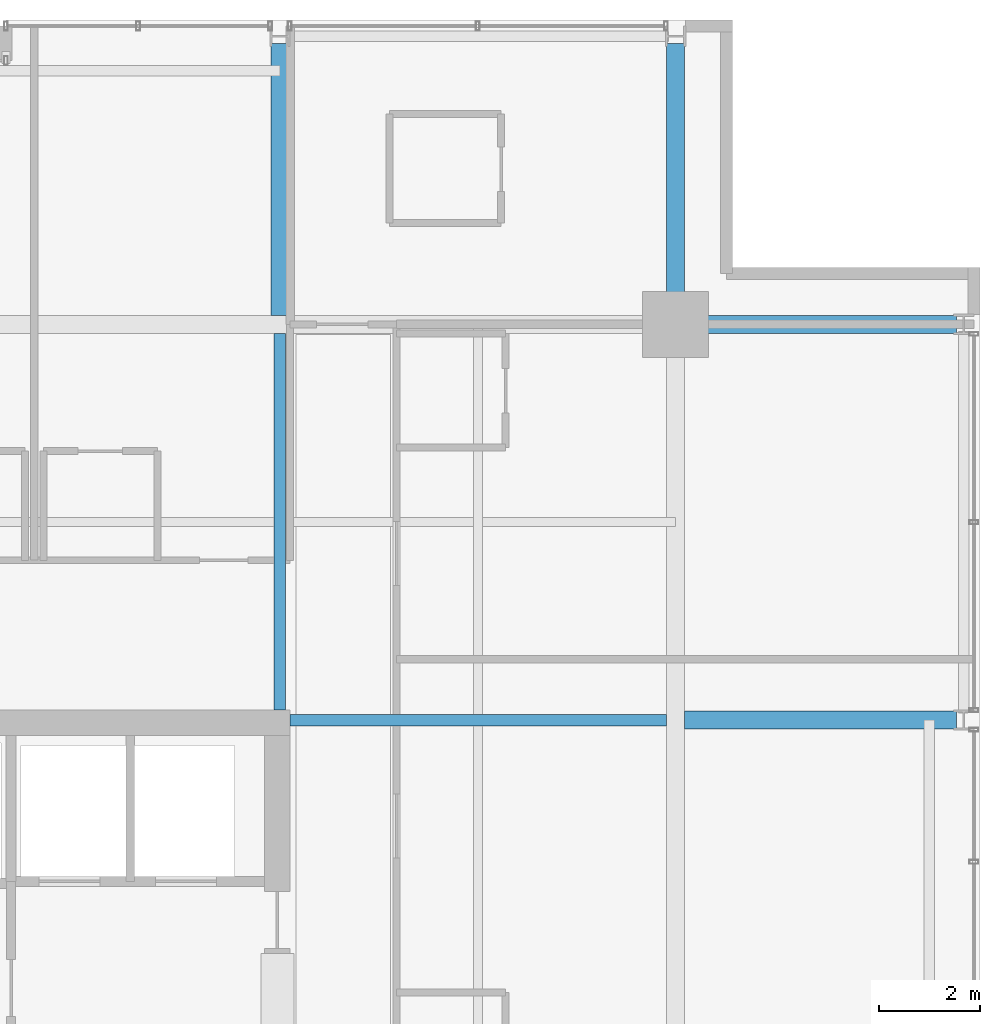
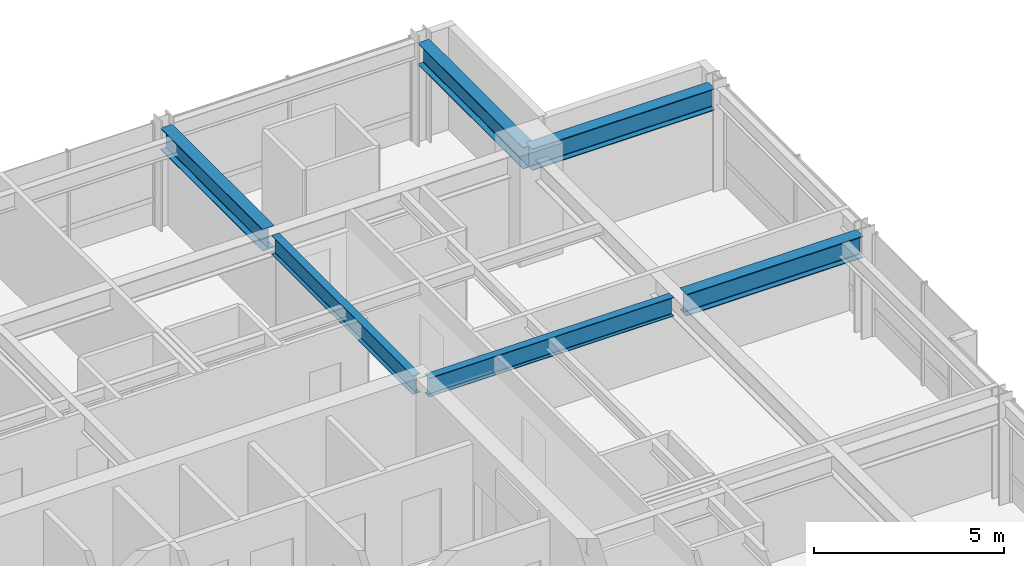
# One storey, part 21 of 32: 6 beams.
"""IFC4 building model written with IfcOpenShell, lengths in metres."""

from ifc_helpers import new_model, si_unit, direction, frame, origin, origin_2d, place, context, subcontext, project, spatial, i_section, extrude, material, material_profile, profile_set, type_object, element, save


model = new_model("IFC4")

# Units and contexts
model_context = context("Model", 3, precision=1e-05, world=origin(), true_north=direction((0.0, 1.0)))
body_context = subcontext(model_context, "Body", "Model", "MODEL_VIEW")
ifc_project = project(units=[si_unit("LENGTHUNIT", "METRE"), si_unit("AREAUNIT", "SQUARE_METRE"), si_unit("VOLUMEUNIT", "CUBIC_METRE"), si_unit("PLANEANGLEUNIT", "RADIAN"), si_unit("MASSUNIT", "GRAM", prefix="KILO")], contexts=[model_context])

# Site, building, storey
site_placement = place(None, origin())
site = spatial("IfcSite", under=ifc_project, at=site_placement, CompositionType="ELEMENT")
building_placement = place(site_placement, origin())
building = spatial("IfcBuilding", under=site, at=building_placement, Name="Drelvath Grand Hotel", CompositionType="ELEMENT")
storey_placement = place(building_placement, frame((0.0, 0.0, 182.35009765625)))
storey = spatial("IfcBuildingStorey", under=building, at=storey_placement, Name="L47", CompositionType="ELEMENT", Elevation=182.35009765625)

# Beams
ifc_material = material(Name="Steel ASTM A992 Gr 50", Category="steel")
ifc_material_profile_1 = material_profile(ifc_material, i_section(OverallWidth=0.228271484375, OverallDepth=0.607666015625, WebThickness=0.01123046875, FlangeThickness=0.017333984375, FilletRadius=0.02001953125, at=origin_2d()), Name="W24X76")
ifc_profile_set_1 = profile_set([ifc_material_profile_1], Name="Steel ASTM A992 Gr 50")
beam_type_1 = type_object("IfcBeamType", Name="Primary Floor Girder W24X76", PredefinedType="BEAM", material=ifc_profile_set_1)
for number, where, z_axis, x_axis, name in (
    (1, (8.60009765625, 35.39990234375, 2.986083984375), (1.0, 0.0, 0.0), (0.0, 1.0, 0.0), "L47 East Core Tie F"),
    (2, (8.39990234375, 35.60009765625, 2.986083984375), (0.0, 1.0, 0.0), (-1.0, 0.0, 0.0), "L47 North Core Tie 6"),
):
    element("IfcBeam", number, at=place(storey_placement, frame(where, z_axis=z_axis, x_axis=x_axis)), inside=storey, type_object=beam_type_1, Name=name, PredefinedType="BEAM", context=body_context, shape_type="SweptSolid", body=[
        extrude(i_section(OverallWidth=0.228271484375, OverallDepth=0.607666015625, WebThickness=0.01123046875, FlangeThickness=0.017333984375, FilletRadius=0.02001953125, at=origin_2d()), origin(), (0.0, 0.0, 1.0), 7.422607421875),
    ])
ifc_material_profile_2 = material_profile(ifc_material, i_section(OverallWidth=0.354736328125, OverallDepth=0.695556640625, WebThickness=0.015380859375, FlangeThickness=0.025146484375, FilletRadius=0.02392578125, at=origin_2d()), Name="W27X146")
ifc_profile_set_2 = profile_set([ifc_material_profile_2], Name="Steel ASTM A992 Gr 50")
beam_type_2 = type_object("IfcBeamType", Name="Primary Floor Girder W27X146", PredefinedType="BEAM", material=ifc_profile_set_2)
beam_1_placement = place(storey_placement, frame((16.199951171875, 43.199951171875, 2.942138671875), z_axis=(1.0, 0.0, 0.0), x_axis=(0.0, 1.0, 0.0)))
element("IfcBeam", 3, at=beam_1_placement, inside=storey, type_object=beam_type_2, Name="L47 East Grid Girder G", PredefinedType="BEAM", context=body_context, shape_type="SweptSolid", body=[
    extrude(i_section(OverallWidth=0.354736328125, OverallDepth=0.695556640625, WebThickness=0.015380859375, FlangeThickness=0.025146484375, FilletRadius=0.02392578125, at=origin_2d()), origin(), (0.0, 0.0, 1.0), 5.5400390625),
])
beam_2_placement = place(storey_placement, frame((16.37744140625, 35.39990234375, 2.942138671875), z_axis=(1.0, 0.0, 0.0), x_axis=(0.0, 1.0, 0.0)))
element("IfcBeam", 4, at=beam_2_placement, inside=storey, type_object=beam_type_2, Name="L47 East Wing Girder F", PredefinedType="BEAM", context=body_context, shape_type="SweptSolid", body=[
    extrude(i_section(OverallWidth=0.354736328125, OverallDepth=0.695556640625, WebThickness=0.015380859375, FlangeThickness=0.025146484375, FilletRadius=0.02392578125, at=origin_2d()), origin(), (0.0, 0.0, 1.0), 5.362548828125),
])
beam_3_placement = place(storey_placement, frame((16.199951171875, 43.199951171875, 2.942138671875), z_axis=(0.0, 1.0, 0.0), x_axis=(-1.0, 0.0, 0.0)))
element("IfcBeam", 5, at=beam_3_placement, inside=storey, type_object=beam_type_2, Name="L47 North Grid Girder 7", PredefinedType="BEAM", context=body_context, shape_type="SweptSolid", body=[
    extrude(i_section(OverallWidth=0.354736328125, OverallDepth=0.695556640625, WebThickness=0.015380859375, FlangeThickness=0.025146484375, FilletRadius=0.02392578125, at=origin_2d()), origin(), (0.0, 0.0, 1.0), 5.5400390625),
])
beam_4_placement = place(storey_placement, frame((8.39990234375, 43.37744140625, 2.942138671875), z_axis=(0.0, 1.0, 0.0), x_axis=(-1.0, 0.0, 0.0)))
element("IfcBeam", 6, at=beam_4_placement, inside=storey, type_object=beam_type_2, Name="L47 North Wing Girder 6", PredefinedType="BEAM", context=body_context, shape_type="SweptSolid", body=[
    extrude(i_section(OverallWidth=0.354736328125, OverallDepth=0.695556640625, WebThickness=0.015380859375, FlangeThickness=0.025146484375, FilletRadius=0.02392578125, at=origin_2d()), origin(), (0.0, 0.0, 1.0), 5.362548828125),
])

save(model, "model.ifc")
